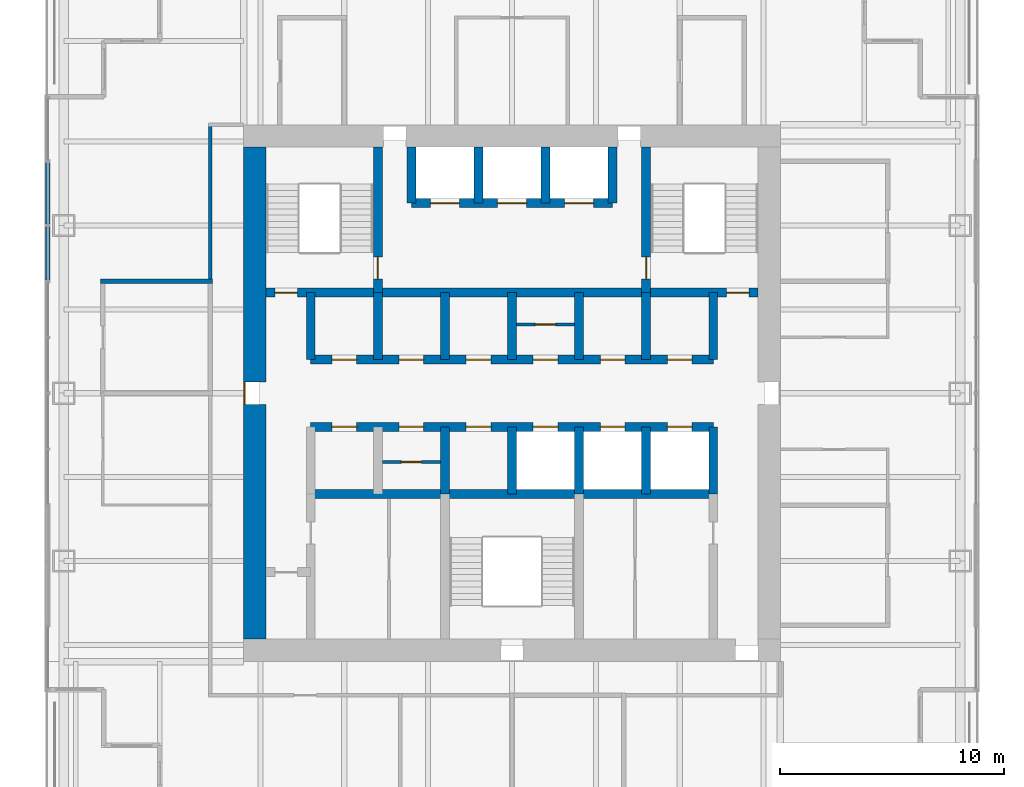
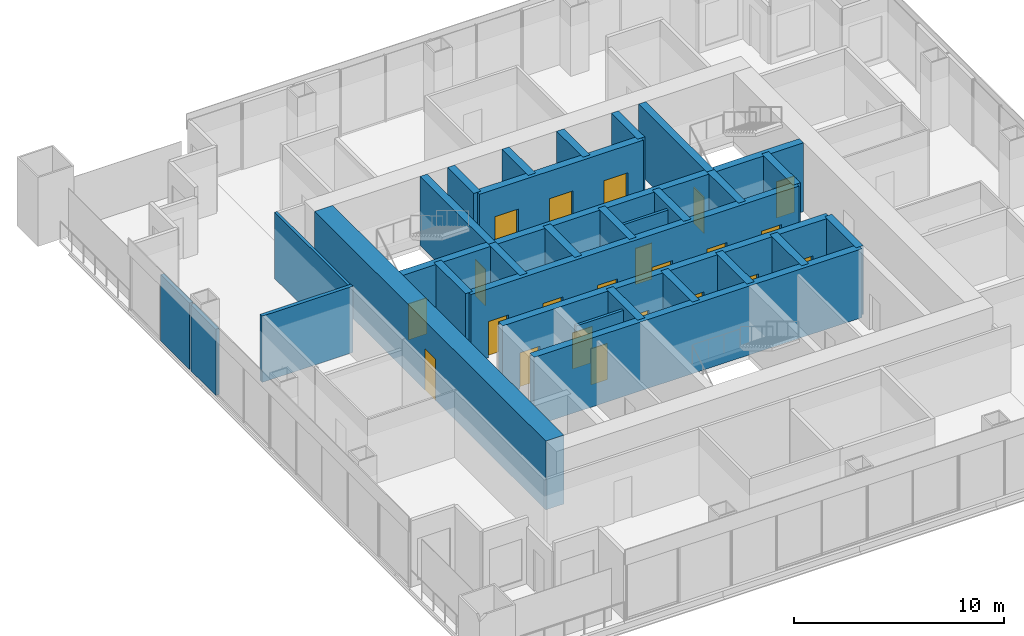
# One storey, part 10 of 14: 30 walls, 22 doors, 22 openings.
"""IFC4 building model written with IfcOpenShell, lengths in metres."""

from ifc_helpers import new_model, si_unit, direction, frame, frame_2d, origin, place, context, subcontext, project, spatial, rectangle, extrude, material, layer, layer_set, type_object, element, fill, save


model = new_model("IFC4")

# Units and contexts
model_context = context("Model", 3, precision=1e-05, world=origin(), true_north=direction((0.0, 1.0)))
body_context = subcontext(model_context, "Body", "Model", "MODEL_VIEW")
ifc_project = project(units=[si_unit("LENGTHUNIT", "METRE"), si_unit("AREAUNIT", "SQUARE_METRE"), si_unit("VOLUMEUNIT", "CUBIC_METRE"), si_unit("PLANEANGLEUNIT", "RADIAN"), si_unit("MASSUNIT", "GRAM", prefix="KILO")], contexts=[model_context])

# Site, building, storey
site_placement = place(None, origin())
site = spatial("IfcSite", under=ifc_project, at=site_placement, CompositionType="ELEMENT")
building_placement = place(site_placement, origin())
building = spatial("IfcBuilding", under=site, at=building_placement, Name="Tarangal Relay Tower", CompositionType="ELEMENT")
storey_placement = place(building_placement, frame((0.0, 0.0, 307.89990234375)))
storey = spatial("IfcBuildingStorey", under=building, at=storey_placement, Name="L68", CompositionType="ELEMENT", Elevation=307.89990234375)

# Wall
ifc_material_1 = material(Name="Two layers gypsum board each side on twin steel studs, mineral wool", Category="steel")
ifc_layer_1 = layer(ifc_material_1, 0.199951171875)
ifc_layer_set_1 = layer_set([ifc_layer_1], Name="Acoustic partition 200")
wall_type_1 = type_object("IfcWallType", Name="Acoustic partition 200", PredefinedType="PARTITIONING", material=ifc_layer_set_1)
wall_1_placement = place(storey_placement, frame((-18.39990234375, 5.0, 0.0), z_axis=(0.0, 0.0, 1.0), x_axis=(1.0, 0.0, 0.0)))
element("IfcWall", 1, at=wall_1_placement, inside=storey, type_object=wall_type_1, Name="Partition PT2 L68", PredefinedType="PARTITIONING", context=body_context, shape_type="SweptSolid", body=[
    extrude(rectangle(XDim=5.0, YDim=0.199951171875, at=frame_2d((2.5, 0.0))), origin(), (0.0, 0.0, 1.0), 3.85009765625),
])

# Wall, openings, doors
ifc_material_2 = material(Name="Concrete fc' 60 MPa", Category="concrete")
ifc_layer_2 = layer(ifc_material_2, 0.39990234375)
ifc_layer_set_2 = layer_set([ifc_layer_2], Name="Core inner wall 400")
wall_type_2 = type_object("IfcWallType", Name="Core inner wall 400", PredefinedType="SHEAR", material=ifc_layer_set_2)
wall_2_placement = place(storey_placement, frame((-11.0, 4.5, 0.0), z_axis=(0.0, 0.0, 1.0), x_axis=(1.0, 0.0, 0.0)))
wall_2 = element("IfcWall", 2, at=wall_2_placement, inside=storey, type_object=wall_type_2, Name="Core wall Y45 L68", PredefinedType="SHEAR", context=body_context, shape_type="SweptSolid", body=[
    extrude(rectangle(XDim=22.0, YDim=0.39990234375, at=frame_2d((11.0, 0.0))), origin(), (0.0, 0.0, 1.0), 4.0),
])
opening_1_placement = place(wall_2_placement, frame((0.39990234375, 0.0, 0.0)))
opening_1 = element("IfcOpeningElement", 3, at=opening_1_placement, cuts=wall_2, Name="Opening FD1", PredefinedType="OPENING", context=body_context, shape_type="SweptSolid", body=[
    extrude(rectangle(XDim=1.0, YDim=2.10009765625, at=frame_2d((0.5, 1.050048828125))), frame((0.0, 0.2099609375, 0.0), z_axis=(0.0, -1.0, 0.0), x_axis=(1.0, 0.0, 0.0)), (0.0, 0.0, 1.0), 0.419921875),
])
opening_2_placement = place(wall_2_placement, frame((20.60009765625, 0.0, 0.0)))
opening_2 = element("IfcOpeningElement", 4, at=opening_2_placement, cuts=wall_2, Name="Opening FD1", PredefinedType="OPENING", context=body_context, shape_type="SweptSolid", body=[
    extrude(rectangle(XDim=1.0, YDim=2.10009765625, at=frame_2d((0.5, 1.050048828125))), frame((0.0, 0.2099609375, 0.0), z_axis=(0.0, -1.0, 0.0), x_axis=(1.0, 0.0, 0.0)), (0.0, 0.0, 1.0), 0.419921875),
])
ifc_material_3 = material(Name="Steel door with hardwood frame", Category="steel")
door_type_1 = type_object("IfcDoorType", Name="Fire door 1000 x 2100", OperationType="SINGLE_SWING_LEFT", PredefinedType="DOOR", material=ifc_material_3)
door_1_placement = place(opening_1_placement, origin())
door_1 = element("IfcDoor", 5, at=door_1_placement, inside=storey, type_object=door_type_1, Name="Stair ST-A door from corridor L68", OperationType="SINGLE_SWING_LEFT", OverallHeight=2.10009765625, OverallWidth=1.0, PredefinedType="DOOR", context=body_context, shape_type="SweptSolid", body=[
    extrude(rectangle(XDim=1.0, YDim=2.10009765625, at=frame_2d((0.5, 1.050048828125))), frame((0.0, 0.02490234375, 0.0), z_axis=(0.0, -1.0, 0.0), x_axis=(1.0, 0.0, 0.0)), (0.0, 0.0, 1.0), 0.050048828125),
])
fill(opening_1, door_1)
door_2_placement = place(opening_2_placement, origin())
door_2 = element("IfcDoor", 6, at=door_2_placement, inside=storey, type_object=door_type_1, Name="Stair ST-B door from corridor L68", OperationType="SINGLE_SWING_LEFT", OverallHeight=2.10009765625, OverallWidth=1.0, PredefinedType="DOOR", context=body_context, shape_type="SweptSolid", body=[
    extrude(rectangle(XDim=1.0, YDim=2.10009765625, at=frame_2d((0.5, 1.050048828125))), frame((0.0, 0.02490234375, 0.0), z_axis=(0.0, -1.0, 0.0), x_axis=(1.0, 0.0, 0.0)), (0.0, 0.0, 1.0), 0.050048828125),
])
fill(opening_2, door_2)

wall_3_placement = place(storey_placement, frame((-9.0, 1.5, 0.0), z_axis=(0.0, 0.0, 1.0), x_axis=(1.0, 0.0, 0.0)))
wall_3 = element("IfcWall", 7, at=wall_3_placement, inside=storey, type_object=wall_type_2, Name="Core wall Y15 L68", PredefinedType="SHEAR", context=body_context, shape_type="SweptSolid", body=[
    extrude(rectangle(XDim=18.0, YDim=0.39990234375, at=frame_2d((9.0, 0.0))), origin(), (0.0, 0.0, 1.0), 4.0),
])
opening_3_placement = place(wall_3_placement, frame((0.949951171875, 0.0, 0.0)))
opening_3 = element("IfcOpeningElement", 8, at=opening_3_placement, cuts=wall_3, Name="Opening D4", PredefinedType="OPENING", context=body_context, shape_type="SweptSolid", body=[
    extrude(rectangle(XDim=1.10009765625, YDim=2.10009765625, at=frame_2d((0.550048828125, 1.050048828125))), frame((0.0, 0.2099609375, 0.0), z_axis=(0.0, -1.0, 0.0), x_axis=(1.0, 0.0, 0.0)), (0.0, 0.0, 1.0), 0.419921875),
])
opening_4_placement = place(wall_3_placement, frame((3.949951171875, 0.0, 0.0)))
opening_4 = element("IfcOpeningElement", 9, at=opening_4_placement, cuts=wall_3, Name="Opening D4", PredefinedType="OPENING", context=body_context, shape_type="SweptSolid", body=[
    extrude(rectangle(XDim=1.10009765625, YDim=2.10009765625, at=frame_2d((0.550048828125, 1.050048828125))), frame((0.0, 0.2099609375, 0.0), z_axis=(0.0, -1.0, 0.0), x_axis=(1.0, 0.0, 0.0)), (0.0, 0.0, 1.0), 0.419921875),
])
opening_5_placement = place(wall_3_placement, frame((6.949951171875, 0.0, 0.0)))
opening_5 = element("IfcOpeningElement", 10, at=opening_5_placement, cuts=wall_3, Name="Opening D4", PredefinedType="OPENING", context=body_context, shape_type="SweptSolid", body=[
    extrude(rectangle(XDim=1.10009765625, YDim=2.10009765625, at=frame_2d((0.550048828125, 1.050048828125))), frame((0.0, 0.2099609375, 0.0), z_axis=(0.0, -1.0, 0.0), x_axis=(1.0, 0.0, 0.0)), (0.0, 0.0, 1.0), 0.419921875),
])
opening_6_placement = place(wall_3_placement, frame((9.949951171875, 0.0, 0.0)))
opening_6 = element("IfcOpeningElement", 11, at=opening_6_placement, cuts=wall_3, Name="Opening D4", PredefinedType="OPENING", context=body_context, shape_type="SweptSolid", body=[
    extrude(rectangle(XDim=1.10009765625, YDim=2.10009765625, at=frame_2d((0.550048828125, 1.050048828125))), frame((0.0, 0.2099609375, 0.0), z_axis=(0.0, -1.0, 0.0), x_axis=(1.0, 0.0, 0.0)), (0.0, 0.0, 1.0), 0.419921875),
])
opening_7_placement = place(wall_3_placement, frame((12.949951171875, 0.0, 0.0)))
opening_7 = element("IfcOpeningElement", 12, at=opening_7_placement, cuts=wall_3, Name="Opening D4", PredefinedType="OPENING", context=body_context, shape_type="SweptSolid", body=[
    extrude(rectangle(XDim=1.10009765625, YDim=2.10009765625, at=frame_2d((0.550048828125, 1.050048828125))), frame((0.0, 0.2099609375, 0.0), z_axis=(0.0, -1.0, 0.0), x_axis=(1.0, 0.0, 0.0)), (0.0, 0.0, 1.0), 0.419921875),
])
opening_8_placement = place(wall_3_placement, frame((15.949951171875, 0.0, 0.0)))
opening_8 = element("IfcOpeningElement", 13, at=opening_8_placement, cuts=wall_3, Name="Opening D4", PredefinedType="OPENING", context=body_context, shape_type="SweptSolid", body=[
    extrude(rectangle(XDim=1.10009765625, YDim=2.10009765625, at=frame_2d((0.550048828125, 1.050048828125))), frame((0.0, 0.2099609375, 0.0), z_axis=(0.0, -1.0, 0.0), x_axis=(1.0, 0.0, 0.0)), (0.0, 0.0, 1.0), 0.419921875),
])
door_type_2 = type_object("IfcDoorType", Name="Core room door 1100 x 2100", OperationType="SINGLE_SWING_RIGHT", PredefinedType="DOOR", material=ifc_material_3)
door_3_placement = place(opening_3_placement, origin())
door_3 = element("IfcDoor", 14, at=door_3_placement, inside=storey, type_object=door_type_2, Name="Door D4 to cleaner's store L68-D1", OperationType="SINGLE_SWING_RIGHT", OverallHeight=2.10009765625, OverallWidth=1.10009765625, PredefinedType="DOOR", context=body_context, shape_type="SweptSolid", body=[
    extrude(rectangle(XDim=1.10009765625, YDim=2.10009765625, at=frame_2d((0.550048828125, 1.050048828125))), frame((0.0, 0.02490234375, 0.0), z_axis=(0.0, -1.0, 0.0), x_axis=(1.0, 0.0, 0.0)), (0.0, 0.0, 1.0), 0.050048828125),
])
fill(opening_3, door_3)
door_4_placement = place(opening_4_placement, origin())
door_4 = element("IfcDoor", 15, at=door_4_placement, inside=storey, type_object=door_type_2, Name="Door D4 to staff wc L68-D2", OperationType="SINGLE_SWING_RIGHT", OverallHeight=2.10009765625, OverallWidth=1.10009765625, PredefinedType="DOOR", context=body_context, shape_type="SweptSolid", body=[
    extrude(rectangle(XDim=1.10009765625, YDim=2.10009765625, at=frame_2d((0.550048828125, 1.050048828125))), frame((0.0, 0.02490234375, 0.0), z_axis=(0.0, -1.0, 0.0), x_axis=(1.0, 0.0, 0.0)), (0.0, 0.0, 1.0), 0.050048828125),
])
fill(opening_4, door_4)
door_5_placement = place(opening_5_placement, origin())
door_5 = element("IfcDoor", 16, at=door_5_placement, inside=storey, type_object=door_type_2, Name="Door D4 to staff pantry L68-D3", OperationType="SINGLE_SWING_RIGHT", OverallHeight=2.10009765625, OverallWidth=1.10009765625, PredefinedType="DOOR", context=body_context, shape_type="SweptSolid", body=[
    extrude(rectangle(XDim=1.10009765625, YDim=2.10009765625, at=frame_2d((0.550048828125, 1.050048828125))), frame((0.0, 0.02490234375, 0.0), z_axis=(0.0, -1.0, 0.0), x_axis=(1.0, 0.0, 0.0)), (0.0, 0.0, 1.0), 0.050048828125),
])
fill(opening_5, door_5)
door_6_placement = place(opening_6_placement, origin())
door_6 = element("IfcDoor", 17, at=door_6_placement, inside=storey, type_object=door_type_2, Name="Door D4 to it room L68-T1", OperationType="SINGLE_SWING_RIGHT", OverallHeight=2.10009765625, OverallWidth=1.10009765625, PredefinedType="DOOR", context=body_context, shape_type="SweptSolid", body=[
    extrude(rectangle(XDim=1.10009765625, YDim=2.10009765625, at=frame_2d((0.550048828125, 1.050048828125))), frame((0.0, 0.02490234375, 0.0), z_axis=(0.0, -1.0, 0.0), x_axis=(1.0, 0.0, 0.0)), (0.0, 0.0, 1.0), 0.050048828125),
])
fill(opening_6, door_6)
door_7_placement = place(opening_7_placement, origin())
door_7 = element("IfcDoor", 18, at=door_7_placement, inside=storey, type_object=door_type_2, Name="Door D4 to cleaner's store L68-T2", OperationType="SINGLE_SWING_RIGHT", OverallHeight=2.10009765625, OverallWidth=1.10009765625, PredefinedType="DOOR", context=body_context, shape_type="SweptSolid", body=[
    extrude(rectangle(XDim=1.10009765625, YDim=2.10009765625, at=frame_2d((0.550048828125, 1.050048828125))), frame((0.0, 0.02490234375, 0.0), z_axis=(0.0, -1.0, 0.0), x_axis=(1.0, 0.0, 0.0)), (0.0, 0.0, 1.0), 0.050048828125),
])
fill(opening_7, door_7)
door_8_placement = place(opening_8_placement, origin())
door_8 = element("IfcDoor", 19, at=door_8_placement, inside=storey, type_object=door_type_2, Name="Door D4 to staff wc L68-T3", OperationType="SINGLE_SWING_RIGHT", OverallHeight=2.10009765625, OverallWidth=1.10009765625, PredefinedType="DOOR", context=body_context, shape_type="SweptSolid", body=[
    extrude(rectangle(XDim=1.10009765625, YDim=2.10009765625, at=frame_2d((0.550048828125, 1.050048828125))), frame((0.0, 0.02490234375, 0.0), z_axis=(0.0, -1.0, 0.0), x_axis=(1.0, 0.0, 0.0)), (0.0, 0.0, 1.0), 0.050048828125),
])
fill(opening_8, door_8)

wall_4_placement = place(storey_placement, frame((-9.0, -1.5, 0.0), z_axis=(0.0, 0.0, 1.0), x_axis=(1.0, 0.0, 0.0)))
wall_4 = element("IfcWall", 20, at=wall_4_placement, inside=storey, type_object=wall_type_2, Name="Core wall YM15 L68", PredefinedType="SHEAR", context=body_context, shape_type="SweptSolid", body=[
    extrude(rectangle(XDim=18.0, YDim=0.39990234375, at=frame_2d((9.0, 0.0))), origin(), (0.0, 0.0, 1.0), 4.0),
])
opening_9_placement = place(wall_4_placement, frame((9.949951171875, 0.0, 0.0)))
opening_9 = element("IfcOpeningElement", 21, at=opening_9_placement, cuts=wall_4, Name="Opening LD1", PredefinedType="OPENING", context=body_context, shape_type="SweptSolid", body=[
    extrude(rectangle(XDim=1.10009765625, YDim=2.10009765625, at=frame_2d((0.550048828125, 1.050048828125))), frame((0.0, 0.2099609375, 0.0), z_axis=(0.0, -1.0, 0.0), x_axis=(1.0, 0.0, 0.0)), (0.0, 0.0, 1.0), 0.419921875),
])
opening_10_placement = place(wall_4_placement, frame((12.949951171875, 0.0, 0.0)))
opening_10 = element("IfcOpeningElement", 22, at=opening_10_placement, cuts=wall_4, Name="Opening LD1", PredefinedType="OPENING", context=body_context, shape_type="SweptSolid", body=[
    extrude(rectangle(XDim=1.10009765625, YDim=2.10009765625, at=frame_2d((0.550048828125, 1.050048828125))), frame((0.0, 0.2099609375, 0.0), z_axis=(0.0, -1.0, 0.0), x_axis=(1.0, 0.0, 0.0)), (0.0, 0.0, 1.0), 0.419921875),
])
opening_11_placement = place(wall_4_placement, frame((15.949951171875, 0.0, 0.0)))
opening_11 = element("IfcOpeningElement", 23, at=opening_11_placement, cuts=wall_4, Name="Opening LD1", PredefinedType="OPENING", context=body_context, shape_type="SweptSolid", body=[
    extrude(rectangle(XDim=1.10009765625, YDim=2.10009765625, at=frame_2d((0.550048828125, 1.050048828125))), frame((0.0, 0.2099609375, 0.0), z_axis=(0.0, -1.0, 0.0), x_axis=(1.0, 0.0, 0.0)), (0.0, 0.0, 1.0), 0.419921875),
])
opening_12_placement = place(wall_4_placement, frame((0.949951171875, 0.0, 0.0)))
opening_12 = element("IfcOpeningElement", 24, at=opening_12_placement, cuts=wall_4, Name="Opening D4", PredefinedType="OPENING", context=body_context, shape_type="SweptSolid", body=[
    extrude(rectangle(XDim=1.10009765625, YDim=2.10009765625, at=frame_2d((0.550048828125, 1.050048828125))), frame((0.0, 0.2099609375, 0.0), z_axis=(0.0, -1.0, 0.0), x_axis=(1.0, 0.0, 0.0)), (0.0, 0.0, 1.0), 0.419921875),
])
opening_13_placement = place(wall_4_placement, frame((3.949951171875, 0.0, 0.0)))
opening_13 = element("IfcOpeningElement", 25, at=opening_13_placement, cuts=wall_4, Name="Opening D4", PredefinedType="OPENING", context=body_context, shape_type="SweptSolid", body=[
    extrude(rectangle(XDim=1.10009765625, YDim=2.10009765625, at=frame_2d((0.550048828125, 1.050048828125))), frame((0.0, 0.2099609375, 0.0), z_axis=(0.0, -1.0, 0.0), x_axis=(1.0, 0.0, 0.0)), (0.0, 0.0, 1.0), 0.419921875),
])
opening_14_placement = place(wall_4_placement, frame((6.949951171875, 0.0, 0.0)))
opening_14 = element("IfcOpeningElement", 26, at=opening_14_placement, cuts=wall_4, Name="Opening D4", PredefinedType="OPENING", context=body_context, shape_type="SweptSolid", body=[
    extrude(rectangle(XDim=1.10009765625, YDim=2.10009765625, at=frame_2d((0.550048828125, 1.050048828125))), frame((0.0, 0.2099609375, 0.0), z_axis=(0.0, -1.0, 0.0), x_axis=(1.0, 0.0, 0.0)), (0.0, 0.0, 1.0), 0.419921875),
])
door_9_placement = place(opening_12_placement, origin())
door_9 = element("IfcDoor", 27, at=door_9_placement, inside=storey, type_object=door_type_2, Name="Door D4 to staff pantry L68-S1", OperationType="SINGLE_SWING_RIGHT", OverallHeight=2.10009765625, OverallWidth=1.10009765625, PredefinedType="DOOR", context=body_context, shape_type="SweptSolid", body=[
    extrude(rectangle(XDim=1.10009765625, YDim=2.10009765625, at=frame_2d((0.550048828125, 1.050048828125))), frame((0.0, 0.02490234375, 0.0), z_axis=(0.0, -1.0, 0.0), x_axis=(1.0, 0.0, 0.0)), (0.0, 0.0, 1.0), 0.050048828125),
])
fill(opening_12, door_9)
door_10_placement = place(opening_13_placement, origin())
door_10 = element("IfcDoor", 28, at=door_10_placement, inside=storey, type_object=door_type_2, Name="Door D4 to it room L68-S2", OperationType="SINGLE_SWING_RIGHT", OverallHeight=2.10009765625, OverallWidth=1.10009765625, PredefinedType="DOOR", context=body_context, shape_type="SweptSolid", body=[
    extrude(rectangle(XDim=1.10009765625, YDim=2.10009765625, at=frame_2d((0.550048828125, 1.050048828125))), frame((0.0, 0.02490234375, 0.0), z_axis=(0.0, -1.0, 0.0), x_axis=(1.0, 0.0, 0.0)), (0.0, 0.0, 1.0), 0.050048828125),
])
fill(opening_13, door_10)
door_11_placement = place(opening_14_placement, origin())
door_11 = element("IfcDoor", 29, at=door_11_placement, inside=storey, type_object=door_type_2, Name="Door D4 to cleaner's store L68-S3", OperationType="SINGLE_SWING_RIGHT", OverallHeight=2.10009765625, OverallWidth=1.10009765625, PredefinedType="DOOR", context=body_context, shape_type="SweptSolid", body=[
    extrude(rectangle(XDim=1.10009765625, YDim=2.10009765625, at=frame_2d((0.550048828125, 1.050048828125))), frame((0.0, 0.02490234375, 0.0), z_axis=(0.0, -1.0, 0.0), x_axis=(1.0, 0.0, 0.0)), (0.0, 0.0, 1.0), 0.050048828125),
])
fill(opening_14, door_11)
door_type_3 = type_object("IfcDoorType", Name="Lift landing door 1100 x 2100", OperationType="SLIDING_TO_LEFT", PredefinedType="DOOR", material=ifc_material_3)
door_12_placement = place(opening_9_placement, origin())
door_12 = element("IfcDoor", 30, at=door_12_placement, inside=storey, type_object=door_type_3, Name="Lift OH1 landing door L68", OperationType="SLIDING_TO_LEFT", OverallHeight=2.10009765625, OverallWidth=1.10009765625, PredefinedType="DOOR", context=body_context, shape_type="SweptSolid", body=[
    extrude(rectangle(XDim=1.10009765625, YDim=2.10009765625, at=frame_2d((0.550048828125, 1.050048828125))), frame((0.0, 0.02490234375, 0.0), z_axis=(0.0, -1.0, 0.0), x_axis=(1.0, 0.0, 0.0)), (0.0, 0.0, 1.0), 0.050048828125),
])
fill(opening_9, door_12)
door_13_placement = place(opening_10_placement, origin())
door_13 = element("IfcDoor", 31, at=door_13_placement, inside=storey, type_object=door_type_3, Name="Lift OH2 landing door L68", OperationType="SLIDING_TO_LEFT", OverallHeight=2.10009765625, OverallWidth=1.10009765625, PredefinedType="DOOR", context=body_context, shape_type="SweptSolid", body=[
    extrude(rectangle(XDim=1.10009765625, YDim=2.10009765625, at=frame_2d((0.550048828125, 1.050048828125))), frame((0.0, 0.02490234375, 0.0), z_axis=(0.0, -1.0, 0.0), x_axis=(1.0, 0.0, 0.0)), (0.0, 0.0, 1.0), 0.050048828125),
])
fill(opening_10, door_13)
door_14_placement = place(opening_11_placement, origin())
door_14 = element("IfcDoor", 32, at=door_14_placement, inside=storey, type_object=door_type_3, Name="Lift OH3 landing door L68", OperationType="SLIDING_TO_LEFT", OverallHeight=2.10009765625, OverallWidth=1.10009765625, PredefinedType="DOOR", context=body_context, shape_type="SweptSolid", body=[
    extrude(rectangle(XDim=1.10009765625, YDim=2.10009765625, at=frame_2d((0.550048828125, 1.050048828125))), frame((0.0, 0.02490234375, 0.0), z_axis=(0.0, -1.0, 0.0), x_axis=(1.0, 0.0, 0.0)), (0.0, 0.0, 1.0), 0.050048828125),
])
fill(opening_11, door_14)

# Wall
wall_5_placement = place(storey_placement, frame((-9.0, -4.5, 0.0), z_axis=(0.0, 0.0, 1.0), x_axis=(1.0, 0.0, 0.0)))
element("IfcWall", 33, at=wall_5_placement, inside=storey, type_object=wall_type_2, Name="Core wall YM45 L68", PredefinedType="SHEAR", context=body_context, shape_type="SweptSolid", body=[
    extrude(rectangle(XDim=18.0, YDim=0.39990234375, at=frame_2d((9.0, 0.0))), origin(), (0.0, 0.0, 1.0), 4.0),
])

# Wall, openings, doors
wall_6_placement = place(storey_placement, frame((-4.5, 8.5, 0.0), z_axis=(0.0, 0.0, 1.0), x_axis=(1.0, 0.0, 0.0)))
wall_6 = element("IfcWall", 34, at=wall_6_placement, inside=storey, type_object=wall_type_2, Name="Core wall Y85 L68", PredefinedType="SHEAR", context=body_context, shape_type="SweptSolid", body=[
    extrude(rectangle(XDim=9.0, YDim=0.39990234375, at=frame_2d((4.5, 0.0))), origin(), (0.0, 0.0, 1.0), 4.0),
])
opening_15_placement = place(wall_6_placement, frame((0.85009765625, 0.0, 0.0)))
opening_15 = element("IfcOpeningElement", 35, at=opening_15_placement, cuts=wall_6, Name="Opening LD2", PredefinedType="OPENING", context=body_context, shape_type="SweptSolid", body=[
    extrude(rectangle(XDim=1.300048828125, YDim=2.39990234375, at=frame_2d((0.64990234375, 1.199951171875))), frame((0.0, 0.2099609375, 0.0), z_axis=(0.0, -1.0, 0.0), x_axis=(1.0, 0.0, 0.0)), (0.0, 0.0, 1.0), 0.419921875),
])
opening_16_placement = place(wall_6_placement, frame((6.85009765625, 0.0, 0.0)))
opening_16 = element("IfcOpeningElement", 36, at=opening_16_placement, cuts=wall_6, Name="Opening LD2", PredefinedType="OPENING", context=body_context, shape_type="SweptSolid", body=[
    extrude(rectangle(XDim=1.300048828125, YDim=2.39990234375, at=frame_2d((0.64990234375, 1.199951171875))), frame((0.0, 0.2099609375, 0.0), z_axis=(0.0, -1.0, 0.0), x_axis=(1.0, 0.0, 0.0)), (0.0, 0.0, 1.0), 0.419921875),
])
opening_17_placement = place(wall_6_placement, frame((3.85009765625, 0.0, 0.0)))
opening_17 = element("IfcOpeningElement", 37, at=opening_17_placement, cuts=wall_6, Name="Opening LD2", PredefinedType="OPENING", context=body_context, shape_type="SweptSolid", body=[
    extrude(rectangle(XDim=1.300048828125, YDim=2.39990234375, at=frame_2d((0.64990234375, 1.199951171875))), frame((0.0, 0.2099609375, 0.0), z_axis=(0.0, -1.0, 0.0), x_axis=(1.0, 0.0, 0.0)), (0.0, 0.0, 1.0), 0.419921875),
])
door_type_4 = type_object("IfcDoorType", Name="Lift landing door 1300 x 2400", OperationType="SLIDING_TO_LEFT", PredefinedType="DOOR", material=ifc_material_3)
door_15_placement = place(opening_15_placement, origin())
door_15 = element("IfcDoor", 38, at=door_15_placement, inside=storey, type_object=door_type_4, Name="Lift FF1 landing door L68", OperationType="SLIDING_TO_LEFT", OverallHeight=2.39990234375, OverallWidth=1.300048828125, PredefinedType="DOOR", context=body_context, shape_type="SweptSolid", body=[
    extrude(rectangle(XDim=1.300048828125, YDim=2.39990234375, at=frame_2d((0.64990234375, 1.199951171875))), frame((0.0, 0.02490234375, 0.0), z_axis=(0.0, -1.0, 0.0), x_axis=(1.0, 0.0, 0.0)), (0.0, 0.0, 1.0), 0.050048828125),
])
fill(opening_15, door_15)
door_16_placement = place(opening_16_placement, origin())
door_16 = element("IfcDoor", 39, at=door_16_placement, inside=storey, type_object=door_type_4, Name="Lift FF2 landing door L68", OperationType="SLIDING_TO_LEFT", OverallHeight=2.39990234375, OverallWidth=1.300048828125, PredefinedType="DOOR", context=body_context, shape_type="SweptSolid", body=[
    extrude(rectangle(XDim=1.300048828125, YDim=2.39990234375, at=frame_2d((0.64990234375, 1.199951171875))), frame((0.0, 0.02490234375, 0.0), z_axis=(0.0, -1.0, 0.0), x_axis=(1.0, 0.0, 0.0)), (0.0, 0.0, 1.0), 0.050048828125),
])
fill(opening_16, door_16)
door_17_placement = place(opening_17_placement, origin())
door_17 = element("IfcDoor", 40, at=door_17_placement, inside=storey, type_object=door_type_4, Name="Lift SV1 landing door L68", OperationType="SLIDING_TO_LEFT", OverallHeight=2.39990234375, OverallWidth=1.300048828125, PredefinedType="DOOR", context=body_context, shape_type="SweptSolid", body=[
    extrude(rectangle(XDim=1.300048828125, YDim=2.39990234375, at=frame_2d((0.64990234375, 1.199951171875))), frame((0.0, 0.02490234375, 0.0), z_axis=(0.0, -1.0, 0.0), x_axis=(1.0, 0.0, 0.0)), (0.0, 0.0, 1.0), 0.050048828125),
])
fill(opening_17, door_17)

# Walls
for number, where, z_axis, x_axis, name in (
    (41, (-9.0, 1.5, 0.0), (0.0, 0.0, 1.0), (0.0, 1.0, 0.0), "Core wall XM9N L68"),
    (42, (9.0, 1.5, 0.0), (0.0, 0.0, 1.0), (0.0, 1.0, 0.0), "Core wall X9N L68"),
    (43, (9.0, -4.5, 0.0), (0.0, 0.0, 1.0), (0.0, 1.0, 0.0), "Core wall X9S L68"),
    (44, (-6.0, 1.5, 0.0), (0.0, 0.0, 1.0), (0.0, 1.0, 0.0), "Core wall XM6N L68"),
    (45, (-3.0, 1.5, 0.0), (0.0, 0.0, 1.0), (0.0, 1.0, 0.0), "Core wall XM3N L68"),
    (46, (0.0, 1.5, 0.0), (0.0, 0.0, 1.0), (0.0, 1.0, 0.0), "Core wall X0N L68"),
    (47, (3.0, 1.5, 0.0), (0.0, 0.0, 1.0), (0.0, 1.0, 0.0), "Core wall X3N L68"),
    (48, (6.0, 1.5, 0.0), (0.0, 0.0, 1.0), (0.0, 1.0, 0.0), "Core wall X6N L68"),
    (49, (-3.0, -4.5, 0.0), (0.0, 0.0, 1.0), (0.0, 1.0, 0.0), "Core wall XM3S L68"),
    (50, (0.0, -4.5, 0.0), (0.0, 0.0, 1.0), (0.0, 1.0, 0.0), "Core wall X0S L68"),
    (51, (3.0, -4.5, 0.0), (0.0, 0.0, 1.0), (0.0, 1.0, 0.0), "Core wall X3S L68"),
    (52, (6.0, -4.5, 0.0), (0.0, 0.0, 1.0), (0.0, 1.0, 0.0), "Core wall X6S L68"),
):
    element("IfcWall", number, at=place(storey_placement, frame(where, z_axis=z_axis, x_axis=x_axis)), inside=storey, type_object=wall_type_2, Name=name, PredefinedType="SHEAR", context=body_context, shape_type="SweptSolid", body=[
        extrude(rectangle(XDim=3.0, YDim=0.39990234375, at=frame_2d((1.5, 0.0))), origin(), (0.0, 0.0, 1.0), 4.0),
    ])

# Wall, opening, door
wall_7_placement = place(storey_placement, frame((-6.0, 4.5, 0.0), z_axis=(0.0, 0.0, 1.0), x_axis=(0.0, 1.0, 0.0)))
wall_7 = element("IfcWall", 53, at=wall_7_placement, inside=storey, type_object=wall_type_2, Name="Core wall XM6 L68", PredefinedType="SHEAR", context=body_context, shape_type="SweptSolid", body=[
    extrude(rectangle(XDim=6.5, YDim=0.39990234375, at=frame_2d((3.25, 0.0))), origin(), (0.0, 0.0, 1.0), 4.0),
])
opening_18_placement = place(wall_7_placement, frame((0.60009765625, 0.0, 0.0)))
opening_18 = element("IfcOpeningElement", 54, at=opening_18_placement, cuts=wall_7, Name="Opening FD1", PredefinedType="OPENING", context=body_context, shape_type="SweptSolid", body=[
    extrude(rectangle(XDim=1.0, YDim=2.10009765625, at=frame_2d((0.5, 1.050048828125))), frame((0.0, 0.2099609375, 0.0), z_axis=(0.0, -1.0, 0.0), x_axis=(1.0, 0.0, 0.0)), (0.0, 0.0, 1.0), 0.419921875),
])
door_18_placement = place(opening_18_placement, origin())
door_18 = element("IfcDoor", 55, at=door_18_placement, inside=storey, type_object=door_type_1, Name="Stair ST-A door from fire-fighting lobby L68", OperationType="SINGLE_SWING_LEFT", OverallHeight=2.10009765625, OverallWidth=1.0, PredefinedType="DOOR", context=body_context, shape_type="SweptSolid", body=[
    extrude(rectangle(XDim=1.0, YDim=2.10009765625, at=frame_2d((0.5, 1.050048828125))), frame((0.0, 0.02490234375, 0.0), z_axis=(0.0, -1.0, 0.0), x_axis=(1.0, 0.0, 0.0)), (0.0, 0.0, 1.0), 0.050048828125),
])
fill(opening_18, door_18)

wall_8_placement = place(storey_placement, frame((6.0, 4.5, 0.0), z_axis=(0.0, 0.0, 1.0), x_axis=(0.0, 1.0, 0.0)))
wall_8 = element("IfcWall", 56, at=wall_8_placement, inside=storey, type_object=wall_type_2, Name="Core wall X6 L68", PredefinedType="SHEAR", context=body_context, shape_type="SweptSolid", body=[
    extrude(rectangle(XDim=6.5, YDim=0.39990234375, at=frame_2d((3.25, 0.0))), origin(), (0.0, 0.0, 1.0), 4.0),
])
opening_19_placement = place(wall_8_placement, frame((0.60009765625, 0.0, 0.0)))
opening_19 = element("IfcOpeningElement", 57, at=opening_19_placement, cuts=wall_8, Name="Opening FD1", PredefinedType="OPENING", context=body_context, shape_type="SweptSolid", body=[
    extrude(rectangle(XDim=1.0, YDim=2.10009765625, at=frame_2d((0.5, 1.050048828125))), frame((0.0, 0.2099609375, 0.0), z_axis=(0.0, -1.0, 0.0), x_axis=(1.0, 0.0, 0.0)), (0.0, 0.0, 1.0), 0.419921875),
])
door_19_placement = place(opening_19_placement, origin())
door_19 = element("IfcDoor", 58, at=door_19_placement, inside=storey, type_object=door_type_1, Name="Stair ST-B door from fire-fighting lobby L68", OperationType="SINGLE_SWING_LEFT", OverallHeight=2.10009765625, OverallWidth=1.0, PredefinedType="DOOR", context=body_context, shape_type="SweptSolid", body=[
    extrude(rectangle(XDim=1.0, YDim=2.10009765625, at=frame_2d((0.5, 1.050048828125))), frame((0.0, 0.02490234375, 0.0), z_axis=(0.0, -1.0, 0.0), x_axis=(1.0, 0.0, 0.0)), (0.0, 0.0, 1.0), 0.050048828125),
])
fill(opening_19, door_19)

# Walls
for number, where, z_axis, x_axis, name in (
    (59, (-4.5, 8.5, 0.0), (0.0, 0.0, 1.0), (0.0, 1.0, 0.0), "Core wall XM45 L68"),
    (60, (4.5, 8.5, 0.0), (0.0, 0.0, 1.0), (0.0, 1.0, 0.0), "Core wall X45 L68"),
    (61, (-1.5, 8.5, 0.0), (0.0, 0.0, 1.0), (0.0, 1.0, 0.0), "Core wall XM15 L68"),
    (62, (1.5, 8.5, 0.0), (0.0, 0.0, 1.0), (0.0, 1.0, 0.0), "Core wall X15 L68"),
):
    element("IfcWall", number, at=place(storey_placement, frame(where, z_axis=z_axis, x_axis=x_axis)), inside=storey, type_object=wall_type_2, Name=name, PredefinedType="SHEAR", context=body_context, shape_type="SweptSolid", body=[
        extrude(rectangle(XDim=2.5, YDim=0.39990234375, at=frame_2d((1.25, 0.0))), origin(), (0.0, 0.0, 1.0), 4.0),
    ])

# Wall, opening, door
ifc_layer_3 = layer(ifc_material_2, 1.0)
ifc_layer_set_3 = layer_set([ifc_layer_3], Name="Core wall 1000")
wall_type_3 = type_object("IfcWallType", Name="Core wall 1000", PredefinedType="SHEAR", material=ifc_layer_set_3)
wall_9_placement = place(storey_placement, frame((-11.5, -11.0, 0.0), z_axis=(0.0, 0.0, 1.0), x_axis=(0.0, 1.0, 0.0)))
wall_9 = element("IfcWall", 63, at=wall_9_placement, inside=storey, type_object=wall_type_3, Name="Core wall W L68", PredefinedType="SHEAR", context=body_context, shape_type="SweptSolid", body=[
    extrude(rectangle(XDim=22.0, YDim=1.0, at=frame_2d((11.0, 0.0))), origin(), (0.0, 0.0, 1.0), 4.0),
])
opening_20_placement = place(wall_9_placement, frame((10.5, 0.0, 0.0)))
opening_20 = element("IfcOpeningElement", 64, at=opening_20_placement, cuts=wall_9, Name="Opening FD3", PredefinedType="OPENING", context=body_context, shape_type="SweptSolid", body=[
    extrude(rectangle(XDim=1.0, YDim=2.39990234375, at=frame_2d((0.5, 1.199951171875))), frame((0.0, 0.510009765625, 0.0), z_axis=(0.0, -1.0, 0.0), x_axis=(1.0, 0.0, 0.0)), (0.0, 0.0, 1.0), 1.02001953125),
])
door_type_5 = type_object("IfcDoorType", Name="Fire door 1000 x 2400 core entry", OperationType="SINGLE_SWING_RIGHT", PredefinedType="DOOR", material=ifc_material_3)
door_20_placement = place(opening_20_placement, origin())
door_20 = element("IfcDoor", 65, at=door_20_placement, inside=storey, type_object=door_type_5, Name="Core entry door west L68", OperationType="SINGLE_SWING_RIGHT", OverallHeight=2.39990234375, OverallWidth=1.0, PredefinedType="DOOR", context=body_context, shape_type="SweptSolid", body=[
    extrude(rectangle(XDim=1.0, YDim=2.39990234375, at=frame_2d((0.5, 1.199951171875))), frame((0.0, 0.48486328125, 0.0), z_axis=(0.0, -1.0, 0.0), x_axis=(1.0, 0.0, 0.0)), (0.0, 0.0, 1.0), 0.050048828125),
])
fill(opening_20, door_20)

# Walls
ifc_material_4 = material(Name="Black metal clad insulated wall", Category="steel")
ifc_layer_4 = layer(ifc_material_4, 0.199951171875)
ifc_layer_set_4 = layer_set([ifc_layer_4], Name="Facade infill wall metal clad 200")
wall_type_4 = type_object("IfcWallType", Name="Facade infill wall metal clad 200", PredefinedType="SOLIDWALL", material=ifc_layer_set_4)
wall_10_placement = place(storey_placement, frame((-20.75, 5.06005859375, 0.0), z_axis=(0.0, 0.0, 1.0), x_axis=(0.0, 1.0, 0.0)))
element("IfcWall", 66, at=wall_10_placement, inside=storey, type_object=wall_type_4, Name="Facade infill wall W facade L68 1.1", PredefinedType="SOLIDWALL", context=body_context, shape_type="SweptSolid", body=[
    extrude(rectangle(XDim=2.3798828125, YDim=0.199951171875, at=frame_2d((1.18994140625, 0.0))), origin(), (0.0, 0.0, 1.0), 3.85009765625),
])
wall_11_placement = place(storey_placement, frame((-20.75, 7.56005859375, 0.0), z_axis=(0.0, 0.0, 1.0), x_axis=(0.0, 1.0, 0.0)))
element("IfcWall", 67, at=wall_11_placement, inside=storey, type_object=wall_type_4, Name="Facade infill wall W facade L68 1.1", PredefinedType="SOLIDWALL", context=body_context, shape_type="SweptSolid", body=[
    extrude(rectangle(XDim=2.7548828125, YDim=0.199951171875, at=frame_2d((1.37744140625, 0.0))), origin(), (0.0, 0.0, 1.0), 3.85009765625),
])
ifc_material_5 = material(Name="Gypsum board on steel studs", Category="steel")
ifc_layer_5 = layer(ifc_material_5, 0.14990234375)
ifc_layer_set_5 = layer_set([ifc_layer_5], Name="Partition 150")
wall_type_5 = type_object("IfcWallType", Name="Partition 150", PredefinedType="PARTITIONING", material=ifc_layer_set_5)
wall_12_placement = place(storey_placement, frame((-13.5, 4.925048828125, 0.0), z_axis=(0.0, 0.0, 1.0), x_axis=(0.0, 1.0, 0.0)))
element("IfcWall", 68, at=wall_12_placement, inside=storey, type_object=wall_type_5, Name="Partition PT1 L68", PredefinedType="PARTITIONING", context=body_context, shape_type="SweptSolid", body=[
    extrude(rectangle(XDim=7.14990234375, YDim=0.14990234375, at=frame_2d((3.574951171875, 0.0))), origin(), (0.0, 0.0, 1.0), 3.85009765625),
])

# Wall, opening, door
wall_13_placement = place(storey_placement, frame((0.199951171875, 3.074951171875, 0.0), z_axis=(0.0, 0.0, 1.0), x_axis=(1.0, 0.0, 0.0)))
wall_13 = element("IfcWall", 69, at=wall_13_placement, inside=storey, type_object=wall_type_5, Name="Partition PT1 L68", PredefinedType="PARTITIONING", context=body_context, shape_type="SweptSolid", body=[
    extrude(rectangle(XDim=2.60009765625, YDim=0.14990234375, at=frame_2d((1.300048828125, 0.0))), origin(), (0.0, 0.0, 1.0), 3.75),
])
opening_21_placement = place(wall_13_placement, frame((0.85009765625, 0.0, 0.0)))
opening_21 = element("IfcOpeningElement", 70, at=opening_21_placement, cuts=wall_13, Name="Opening D5", PredefinedType="OPENING", context=body_context, shape_type="SweptSolid", body=[
    extrude(rectangle(XDim=0.89990234375, YDim=2.10009765625, at=frame_2d((0.449951171875, 1.050048828125))), frame((0.0, 0.0849609375, 0.0), z_axis=(0.0, -1.0, 0.0), x_axis=(1.0, 0.0, 0.0)), (0.0, 0.0, 1.0), 0.169921875),
])
ifc_material_6 = material(Name="Hardwood door", Category="wood")
door_type_6 = type_object("IfcDoorType", Name="Cupboard door 900 x 2100", OperationType="SINGLE_SWING_LEFT", PredefinedType="DOOR", material=ifc_material_6)
door_21_placement = place(opening_21_placement, origin())
door_21 = element("IfcDoor", 71, at=door_21_placement, inside=storey, type_object=door_type_6, Name="Door D5 to it patch cupboard L68-T1B", OperationType="SINGLE_SWING_LEFT", OverallHeight=2.10009765625, OverallWidth=0.89990234375, PredefinedType="DOOR", context=body_context, shape_type="SweptSolid", body=[
    extrude(rectangle(XDim=0.89990234375, YDim=2.10009765625, at=frame_2d((0.449951171875, 1.050048828125))), frame((0.0, 0.02490234375, 0.0), z_axis=(0.0, -1.0, 0.0), x_axis=(1.0, 0.0, 0.0)), (0.0, 0.0, 1.0), 0.050048828125),
])
fill(opening_21, door_21)

wall_14_placement = place(storey_placement, frame((-5.800048828125, -3.074951171875, 0.0), z_axis=(0.0, 0.0, 1.0), x_axis=(1.0, 0.0, 0.0)))
wall_14 = element("IfcWall", 72, at=wall_14_placement, inside=storey, type_object=wall_type_5, Name="Partition PT1 L68", PredefinedType="PARTITIONING", context=body_context, shape_type="SweptSolid", body=[
    extrude(rectangle(XDim=2.60009765625, YDim=0.14990234375, at=frame_2d((1.300048828125, 0.0))), origin(), (0.0, 0.0, 1.0), 3.75),
])
opening_22_placement = place(wall_14_placement, frame((0.85009765625, 0.0, 0.0)))
opening_22 = element("IfcOpeningElement", 73, at=opening_22_placement, cuts=wall_14, Name="Opening D5", PredefinedType="OPENING", context=body_context, shape_type="SweptSolid", body=[
    extrude(rectangle(XDim=0.89990234375, YDim=2.10009765625, at=frame_2d((0.449951171875, 1.050048828125))), frame((0.0, 0.0849609375, 0.0), z_axis=(0.0, -1.0, 0.0), x_axis=(1.0, 0.0, 0.0)), (0.0, 0.0, 1.0), 0.169921875),
])
door_22_placement = place(opening_22_placement, origin())
door_22 = element("IfcDoor", 74, at=door_22_placement, inside=storey, type_object=door_type_6, Name="Door D5 to it patch cupboard L68-S2B", OperationType="SINGLE_SWING_LEFT", OverallHeight=2.10009765625, OverallWidth=0.89990234375, PredefinedType="DOOR", context=body_context, shape_type="SweptSolid", body=[
    extrude(rectangle(XDim=0.89990234375, YDim=2.10009765625, at=frame_2d((0.449951171875, 1.050048828125))), frame((0.0, 0.02490234375, 0.0), z_axis=(0.0, -1.0, 0.0), x_axis=(1.0, 0.0, 0.0)), (0.0, 0.0, 1.0), 0.050048828125),
])
fill(opening_22, door_22)

save(model, "model.ifc")
